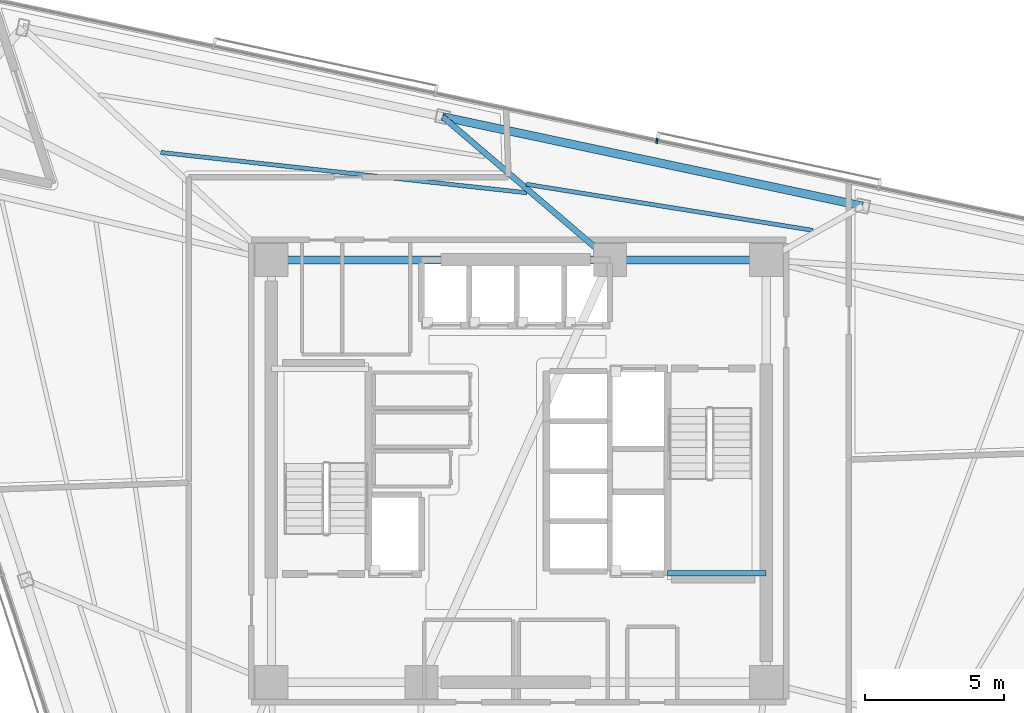
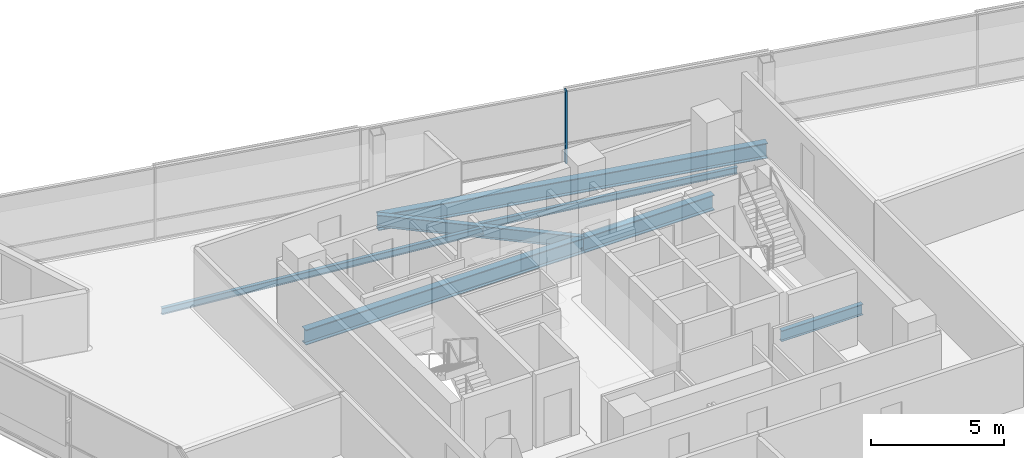
# One storey, part 6 of 17: 7 beams, 1 member, 1 element without a shape of its own.
"""IFC4 building model written with IfcOpenShell, lengths in metres."""

from ifc_helpers import new_model, si_unit, direction, frame, origin, origin_2d, place, context, subcontext, project, spatial, rectangle, i_section, extrude, material, layer, layer_set, material_profile, profile_set, type_object, element, aggregate, save


model = new_model("IFC4")

# Units and contexts
model_context = context("Model", 3, precision=1e-05, world=origin(), true_north=direction((0.0, 1.0)))
body_context = subcontext(model_context, "Body", "Model", "MODEL_VIEW")
ifc_project = project(units=[si_unit("LENGTHUNIT", "METRE"), si_unit("AREAUNIT", "SQUARE_METRE"), si_unit("VOLUMEUNIT", "CUBIC_METRE"), si_unit("PLANEANGLEUNIT", "RADIAN"), si_unit("MASSUNIT", "GRAM", prefix="KILO")], contexts=[model_context])

# Site, building, storey
site_placement = place(None, origin())
site = spatial("IfcSite", under=ifc_project, at=site_placement, CompositionType="ELEMENT")
building_placement = place(site_placement, origin())
building = spatial("IfcBuilding", under=site, at=building_placement, Name="Tharavind Bronze Gate", CompositionType="ELEMENT")
storey_placement = place(building_placement, frame((0.0, 0.0, 218.449951171875)))
storey = spatial("IfcBuildingStorey", under=building, at=storey_placement, Name="L56", CompositionType="ELEMENT", Elevation=218.449951171875)

# Curtain wall, member
ifc_material_1 = material(Name="Anodised Bronze Aluminium", Category="aluminium")
ifc_layer = layer(ifc_material_1, 0.219970703125)
ifc_layer_set = layer_set([ifc_layer], Name="Anodised Bronze Aluminium")
curtain_wall_type = type_object("IfcCurtainWallType", Name="UNITISED CURTAIN WALL MID OFFICE", PredefinedType="USERDEFINED", material=ifc_layer_set)
curtain_wall_placement = place(storey_placement, origin())
curtain_wall = element("IfcCurtainWall", 1, at=curtain_wall_placement, inside=storey, type_object=curtain_wall_type, Name="L56 unitised curtain wall mid office CW-L56-S3", ObjectType="UNITISED CURTAIN WALL", PredefinedType="USERDEFINED")
member_type = type_object("IfcMemberType", Name="CURTAIN WALL BRONZE MULLION 65X180", PredefinedType="MULLION", material=ifc_material_1)
member_placement = place(storey_placement, frame((4.97265625, 11.880615234375, 0.0), z_axis=(0.0, 0.0, 1.0), x_axis=(-0.978147600734, 0.207911690818, 0.0)))
member = element("IfcMember", 2, at=member_placement, type_object=member_type, Name="CW-L56-S3 mullion 4", PredefinedType="MULLION", context=body_context, shape_type="SweptSolid", body=[
    extrude(rectangle(XDim=0.06494140625, YDim=0.179931640625, at=origin_2d()), origin(), (0.0, 0.0, 1.0), 3.360107421875),
])
aggregate(curtain_wall, [member])

# Beams
ifc_material_2 = material(Name="Steel S355", Category="steel")
ifc_material_profile_1 = material_profile(ifc_material_2, i_section(OverallWidth=0.199951171875, OverallDepth=0.5, WebThickness=0.01025390625, FlangeThickness=0.01611328125, at=origin_2d()), Name="IPE500")
ifc_profile_set_1 = profile_set([ifc_material_profile_1], Name="Steel S355")
beam_type_1 = type_object("IfcBeamType", Name="PRIMARY GIRDER IPE500", PredefinedType="USERDEFINED", material=ifc_profile_set_1)
beam_1_placement = place(storey_placement, frame((5.35009765625, -3.679931640625, 1.35009765625), z_axis=(1.0, 0.0, 0.0), x_axis=(0.0, 1.0, 0.0)))
element("IfcBeam", 3, at=beam_1_placement, inside=storey, type_object=beam_type_1, Name="L56 primary girder ipe500 BM-LD-ST2-L56-1", ObjectType="GIRDER", PredefinedType="USERDEFINED", context=body_context, shape_type="SweptSolid", body=[
    extrude(i_section(OverallWidth=0.199951171875, OverallDepth=0.5, WebThickness=0.01025390625, FlangeThickness=0.01611328125, at=origin_2d()), origin(), (0.0, 0.0, 1.0), 3.5498046875),
])
ifc_material_profile_2 = material_profile(ifc_material_2, i_section(OverallWidth=0.2099609375, OverallDepth=0.550048828125, WebThickness=0.010986328125, FlangeThickness=0.01708984375, at=origin_2d()), Name="IPE550")
ifc_profile_set_2 = profile_set([ifc_material_profile_2], Name="Steel S355")
beam_type_2 = type_object("IfcBeamType", Name="PRIMARY GIRDER IPE550", PredefinedType="USERDEFINED", material=ifc_profile_set_2)
beam_2_placement = place(storey_placement, frame((-2.737060546875, 12.752685546875, -0.454833984375), z_axis=(0.75956325699, -0.650433439048, 0.0), x_axis=(0.650433439048, 0.75956325699, 0.0)))
element("IfcBeam", 4, at=beam_2_placement, inside=storey, type_object=beam_type_2, Name="L56 primary girder ipe550 BM-L56-RAD11", ObjectType="GIRDER", PredefinedType="USERDEFINED", context=body_context, shape_type="SweptSolid", body=[
    extrude(i_section(OverallWidth=0.2099609375, OverallDepth=0.550048828125, WebThickness=0.010986328125, FlangeThickness=0.01708984375, at=origin_2d()), origin(), (0.0, 0.0, 1.0), 7.921875),
])
ifc_material_profile_3 = material_profile(ifc_material_2, i_section(OverallWidth=0.300048828125, OverallDepth=0.699951171875, WebThickness=0.01708984375, FlangeThickness=0.031982421875, at=origin_2d()), Name="HE700B")
ifc_profile_set_3 = profile_set([ifc_material_profile_3], Name="Steel S355")
beam_type_3 = type_object("IfcBeamType", Name="RING GIRDER HE700B", PredefinedType="USERDEFINED", material=ifc_profile_set_3)
beam_3_placement = place(storey_placement, frame((8.89990234375, 7.60009765625, -0.530029296875), z_axis=(-1.0, 0.0, 0.0), x_axis=(0.0, -1.0, 0.0)))
element("IfcBeam", 5, at=beam_3_placement, inside=storey, type_object=beam_type_3, Name="L56 ring girder he700b BM-L56-CR4", ObjectType="GIRDER", PredefinedType="USERDEFINED", context=body_context, shape_type="SweptSolid", body=[
    extrude(i_section(OverallWidth=0.300048828125, OverallDepth=0.699951171875, WebThickness=0.01708984375, FlangeThickness=0.031982421875, at=origin_2d()), origin(), (0.0, 0.0, 1.0), 5.619873046875),
])
beam_4_placement = place(storey_placement, frame((3.280029296875, 7.60009765625, -0.530029296875), z_axis=(-1.0, 0.0, 0.0), x_axis=(0.0, -1.0, 0.0)))
element("IfcBeam", 6, at=beam_4_placement, inside=storey, type_object=beam_type_3, Name="L56 ring girder he700b BM-L56-CR5", ObjectType="GIRDER", PredefinedType="USERDEFINED", context=body_context, shape_type="SweptSolid", body=[
    extrude(i_section(OverallWidth=0.300048828125, OverallDepth=0.699951171875, WebThickness=0.01708984375, FlangeThickness=0.031982421875, at=origin_2d()), origin(), (0.0, 0.0, 1.0), 12.179931640625),
])
beam_5_placement = place(storey_placement, frame((12.370849609375, 9.54150390625, -0.530029296875), z_axis=(-0.978148967388, 0.207905261111, 0.0), x_axis=(-0.207905261111, -0.978148967388, 0.0)))
element("IfcBeam", 7, at=beam_5_placement, inside=storey, type_object=beam_type_3, Name="L56 ring girder he700b BM-L56-PRG10", ObjectType="GIRDER", PredefinedType="USERDEFINED", context=body_context, shape_type="SweptSolid", body=[
    extrude(i_section(OverallWidth=0.300048828125, OverallDepth=0.699951171875, WebThickness=0.01708984375, FlangeThickness=0.031982421875, at=origin_2d()), origin(), (0.0, 0.0, 1.0), 15.4453125),
])
ifc_material_profile_4 = material_profile(ifc_material_2, i_section(OverallWidth=0.14990234375, OverallDepth=0.300048828125, WebThickness=0.007080078125, FlangeThickness=0.0107421875, at=origin_2d()), Name="IPE300")
ifc_profile_set_4 = profile_set([ifc_material_profile_4], Name="Steel S355")
beam_type_4 = type_object("IfcBeamType", Name="SECONDARY FLOOR JOIST IPE300", PredefinedType="JOIST", material=ifc_profile_set_4)
beam_6_placement = place(storey_placement, frame((10.585693359375, 8.666015625, -0.329833984375), z_axis=(-0.987341344636, 0.158609801627, 0.0), x_axis=(-0.158609801627, -0.987341344636, 0.0)))
element("IfcBeam", 8, at=beam_6_placement, inside=storey, type_object=beam_type_4, Name="L56 secondary floor joist ipe300 BM-L56-JSTA10", PredefinedType="JOIST", context=body_context, shape_type="SweptSolid", body=[
    extrude(i_section(OverallWidth=0.14990234375, OverallDepth=0.300048828125, WebThickness=0.007080078125, FlangeThickness=0.0107421875, at=origin_2d()), origin(), (0.0, 0.0, 1.0), 10.45458984375),
])
beam_7_placement = place(storey_placement, frame((0.292724609375, 10.016845703125, -0.329833984375), z_axis=(-0.993975491992, 0.109602560737, 0.0), x_axis=(-0.109602560737, -0.993975491992, 0.0)))
element("IfcBeam", 9, at=beam_7_placement, inside=storey, type_object=beam_type_4, Name="L56 secondary floor joist ipe300 BM-L56-JSTA11", PredefinedType="JOIST", context=body_context, shape_type="SweptSolid", body=[
    extrude(i_section(OverallWidth=0.14990234375, OverallDepth=0.300048828125, WebThickness=0.007080078125, FlangeThickness=0.0107421875, at=origin_2d()), origin(), (0.0, 0.0, 1.0), 13.253662109375),
])

save(model, "model.ifc")
